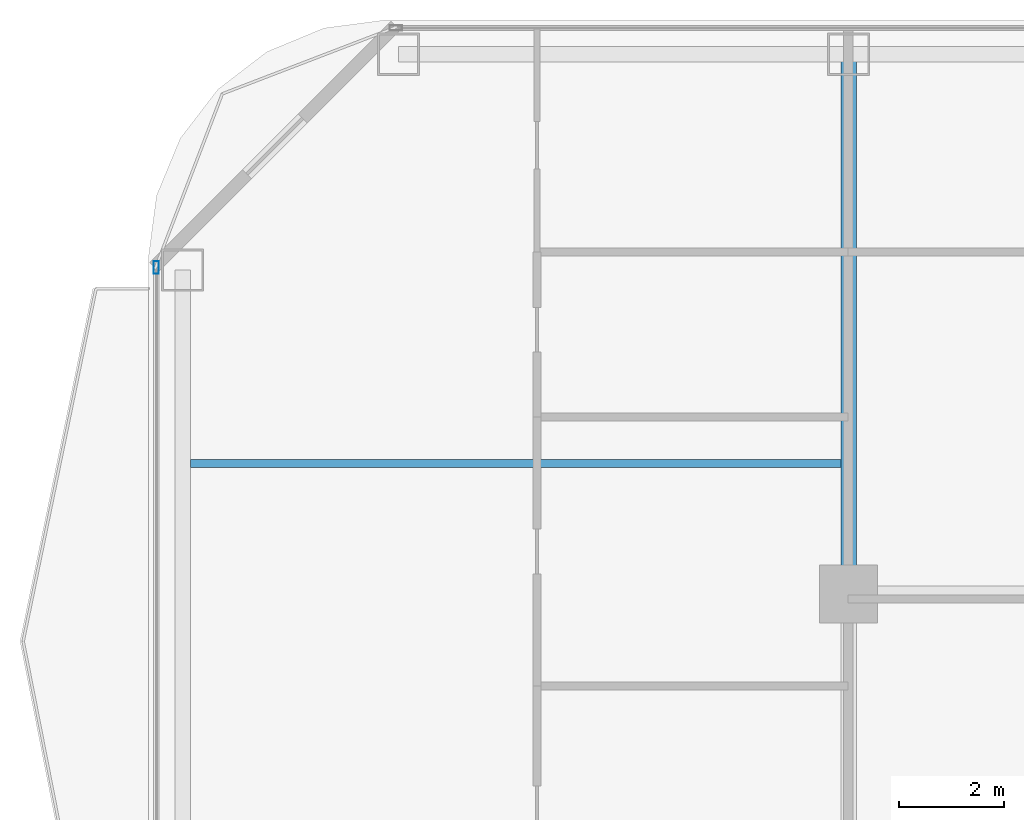
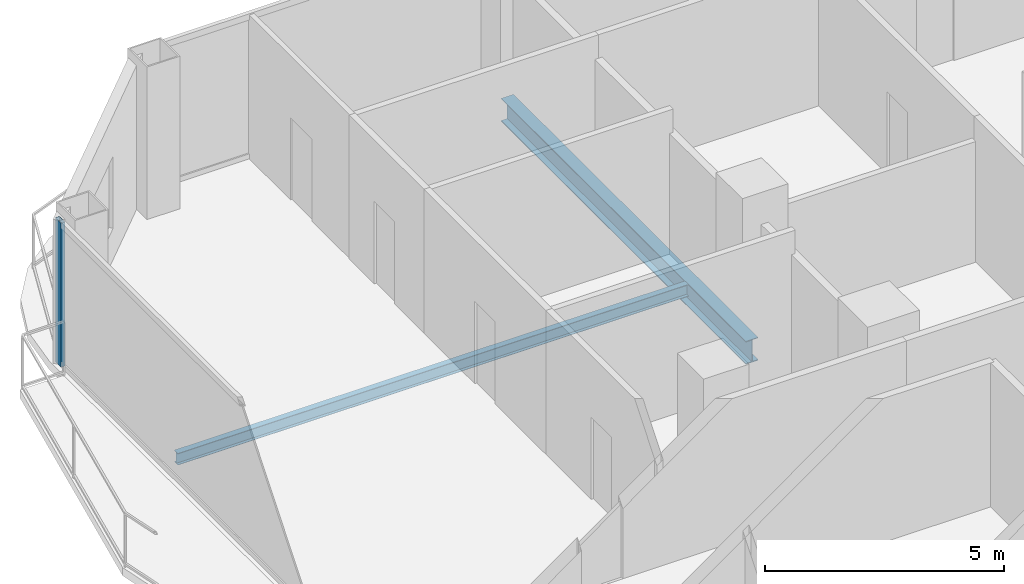
# One storey, part 13 of 28: 2 beams, 1 member, 1 element without a shape of its own.
"""IFC4 building model written with IfcOpenShell, lengths in metres."""

from ifc_helpers import new_model, si_unit, direction, frame, origin, origin_2d, place, context, subcontext, project, spatial, hollow_rectangle, i_section, extrude, material, layer, layer_set, material_profile, profile_set, type_object, element, aggregate, save


model = new_model("IFC4")

# Units and contexts
model_context = context("Model", 3, precision=1e-05, world=origin(), true_north=direction((0.0, 1.0)))
body_context = subcontext(model_context, "Body", "Model", "MODEL_VIEW")
ifc_project = project(units=[si_unit("LENGTHUNIT", "METRE"), si_unit("AREAUNIT", "SQUARE_METRE"), si_unit("VOLUMEUNIT", "CUBIC_METRE"), si_unit("PLANEANGLEUNIT", "RADIAN"), si_unit("MASSUNIT", "GRAM", prefix="KILO")], contexts=[model_context])

# Site, building, storey
site_placement = place(None, origin())
site = spatial("IfcSite", under=ifc_project, at=site_placement, CompositionType="ELEMENT")
building_placement = place(site_placement, origin())
building = spatial("IfcBuilding", under=site, at=building_placement, Name="Khorvyn Point Tower", CompositionType="ELEMENT")
storey_placement = place(building_placement, frame((0.0, 0.0, 100.800048828125)))
storey = spatial("IfcBuildingStorey", under=building, at=storey_placement, Name="L25", CompositionType="ELEMENT", Elevation=100.800048828125)

# Curtain wall, member
ifc_material_1 = material(Name="Anodised aluminium 6063-T6 and laminated Low-E glass", Category="aluminium")
ifc_layer = layer(ifc_material_1, 0.18994140625)
ifc_layer_set = layer_set([ifc_layer], Name="Stick-Built Finned Residential Curtain Wall CW-SYS-02")
curtain_wall_type = type_object("IfcCurtainWallType", Name="Stick-Built Finned Residential Curtain Wall CW-SYS-02", PredefinedType="NOTDEFINED", material=ifc_layer_set)
curtain_wall_placement = place(storey_placement, origin())
curtain_wall = element("IfcCurtainWall", 1, at=curtain_wall_placement, inside=storey, type_object=curtain_wall_type, Name="Curtain Wall", PredefinedType="NOTDEFINED")
ifc_material_2 = material(Name="Anodised aluminium 6063-T6", Category="aluminium")
ifc_material_profile_1 = material_profile(ifc_material_2, hollow_rectangle(XDim=0.10009765625, YDim=0.239990234375, WallThickness=0.0048828125, at=origin_2d()))
ifc_profile_set_1 = profile_set([ifc_material_profile_1], Name="Anodised aluminium 6063-T6 ALU-MUL-100x240")
member_type = type_object("IfcMemberType", Name="Anodised Aluminium 6063-T6 Mullion ALU-MUL-100x240", PredefinedType="MULLION", material=ifc_profile_set_1)
member_placement = place(storey_placement, frame((-27.949951171875, 26.300048828125, 0.0), z_axis=(0.0, 0.0, 1.0), x_axis=(-1.0, 0.0, 0.0)))
member = element("IfcMember", 2, at=member_placement, type_object=member_type, Name="Transom", PredefinedType="MULLION", context=body_context, shape_type="SweptSolid", body=[
    extrude(hollow_rectangle(XDim=0.10009765625, YDim=0.239990234375, WallThickness=0.0048828125, at=origin_2d()), origin(), (0.0, 0.0, 1.0), 3.679931640625),
])
aggregate(curtain_wall, [member])

# Beams
ifc_material_3 = material(Name="Steel S355", Category="steel")
ifc_material_profile_2 = material_profile(ifc_material_3, i_section(OverallWidth=0.300048828125, OverallDepth=0.587890625, WebThickness=0.011962890625, FlangeThickness=0.02001953125, at=origin_2d()))
ifc_profile_set_2 = profile_set([ifc_material_profile_2], Name="Steel S355 H588x300x12x20")
beam_type_1 = type_object("IfcBeamType", Name="Steel S355 Beam H588x300x12x20", PredefinedType="BEAM", material=ifc_profile_set_2)
beam_1_placement = place(storey_placement, frame((-14.800048828125, 20.10009765625, -0.51416015625), z_axis=(0.0, 1.0, 0.0), x_axis=(-1.0, 0.0, 0.0)))
element("IfcBeam", 3, at=beam_1_placement, inside=storey, type_object=beam_type_1, Name="Beam", PredefinedType="BEAM", context=body_context, shape_type="SweptSolid", body=[
    extrude(i_section(OverallWidth=0.300048828125, OverallDepth=0.587890625, WebThickness=0.011962890625, FlangeThickness=0.02001953125, at=origin_2d()), origin(), (0.0, 0.0, 1.0), 10.25),
])
ifc_material_profile_3 = material_profile(ifc_material_3, i_section(OverallWidth=0.14990234375, OverallDepth=0.300048828125, WebThickness=0.006591796875, FlangeThickness=0.009033203125, at=origin_2d()))
ifc_profile_set_3 = profile_set([ifc_material_profile_3], Name="Steel S355 H300x150x6.5x9")
beam_type_2 = type_object("IfcBeamType", Name="Steel S355 Joist H300x150x6.5x9", PredefinedType="JOIST", material=ifc_profile_set_3)
beam_2_placement = place(storey_placement, frame((-27.300048828125, 22.574951171875, -0.3701171875), z_axis=(1.0, 0.0, 0.0), x_axis=(0.0, 1.0, 0.0)))
element("IfcBeam", 4, at=beam_2_placement, inside=storey, type_object=beam_type_2, Name="Beam", PredefinedType="JOIST", context=body_context, shape_type="SweptSolid", body=[
    extrude(i_section(OverallWidth=0.14990234375, OverallDepth=0.300048828125, WebThickness=0.006591796875, FlangeThickness=0.009033203125, at=origin_2d()), origin(), (0.0, 0.0, 1.0), 12.35009765625),
])

save(model, "model.ifc")
